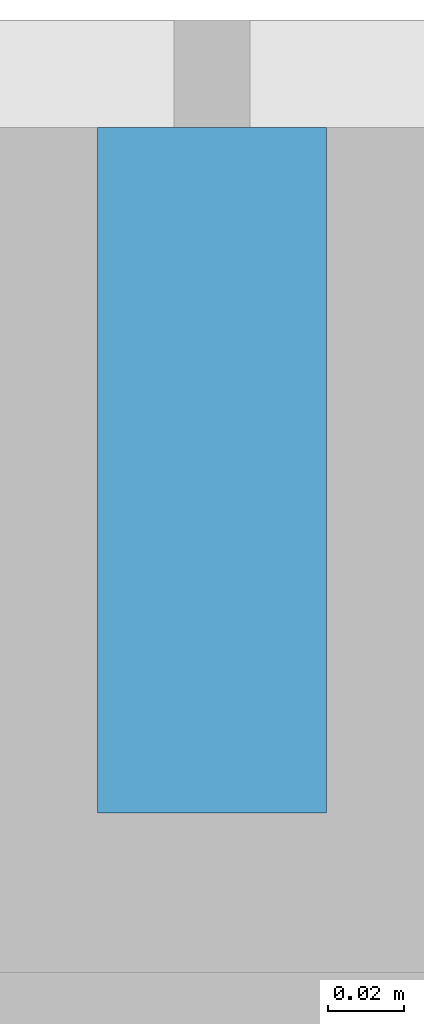
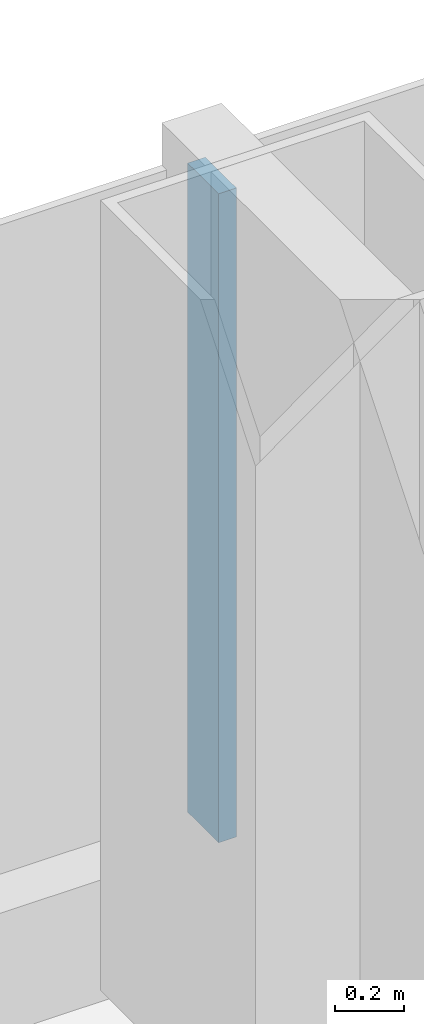
# One storey, part 7 of 28: 1 member, 1 element without a shape of its own.
"""IFC4 building model written with IfcOpenShell, lengths in metres."""

from ifc_helpers import new_model, si_unit, direction, frame, origin, origin_2d, place, context, subcontext, project, spatial, rectangle, extrude, material, layer, layer_set, material_profile, profile_set, type_object, element, aggregate, save


model = new_model("IFC4")

# Units and contexts
model_context = context("Model", 3, precision=1e-05, world=origin(), true_north=direction((0.0, 1.0)))
body_context = subcontext(model_context, "Body", "Model", "MODEL_VIEW")
ifc_project = project(units=[si_unit("LENGTHUNIT", "METRE"), si_unit("AREAUNIT", "SQUARE_METRE"), si_unit("VOLUMEUNIT", "CUBIC_METRE"), si_unit("PLANEANGLEUNIT", "RADIAN"), si_unit("MASSUNIT", "GRAM", prefix="KILO")], contexts=[model_context])

# Site, building, storey
site_placement = place(None, origin())
site = spatial("IfcSite", under=ifc_project, at=site_placement, CompositionType="ELEMENT")
building_placement = place(site_placement, origin())
building = spatial("IfcBuilding", under=site, at=building_placement, Name="Hakoniwa Tower and Hamabe Station Hall", CompositionType="ELEMENT")
storey_placement = place(building_placement, frame((0.0, 0.0, 58.199951171875)))
storey = spatial("IfcBuildingStorey", under=building, at=storey_placement, Name="L16", CompositionType="ELEMENT", Elevation=58.199951171875)

# Curtain wall, member
ifc_material_1 = material(Name="Dark low-e laminated glass", Category="glass")
ifc_layer = layer(ifc_material_1, 0.199951171875)
ifc_layer_set = layer_set([ifc_layer], Name="CW-1 UNITISED GUEST")
curtain_wall_type = type_object("IfcCurtainWallType", Name="CW-1 UNITISED GUEST", PredefinedType="NOTDEFINED", material=ifc_layer_set)
curtain_wall_placement = place(storey_placement, origin())
curtain_wall = element("IfcCurtainWall", 1, at=curtain_wall_placement, inside=storey, type_object=curtain_wall_type, Name="CW-1 curtain wall", PredefinedType="NOTDEFINED")
ifc_material_2 = material(Name="Aluminium 6063-T5 black anodised", Category="aluminium")
ifc_material_profile = material_profile(ifc_material_2, rectangle(XDim=0.06005859375, YDim=0.179931640625, at=origin_2d()), Name="CW-1 MULLION 60X180")
ifc_profile_set = profile_set([ifc_material_profile], Name="Aluminium 6063-T5 black anodised")
member_type = type_object("IfcMemberType", Name="CW-1 MULLION 60X180", PredefinedType="MULLION", material=ifc_profile_set)
member_placement = place(storey_placement, frame((0.0, 20.181884765625, 0.35009765625), z_axis=(0.0, 0.0, 1.0), x_axis=(-1.0, 0.0, 0.0)))
member = element("IfcMember", 2, at=member_placement, type_object=member_type, Name="CW-1 mullion", PredefinedType="MULLION", context=body_context, shape_type="SweptSolid", body=[
    extrude(rectangle(XDim=0.06005859375, YDim=0.179931640625, at=origin_2d()), origin(), (0.0, 0.0, 1.0), 2.300048828125),
])
aggregate(curtain_wall, [member])

save(model, "model.ifc")
